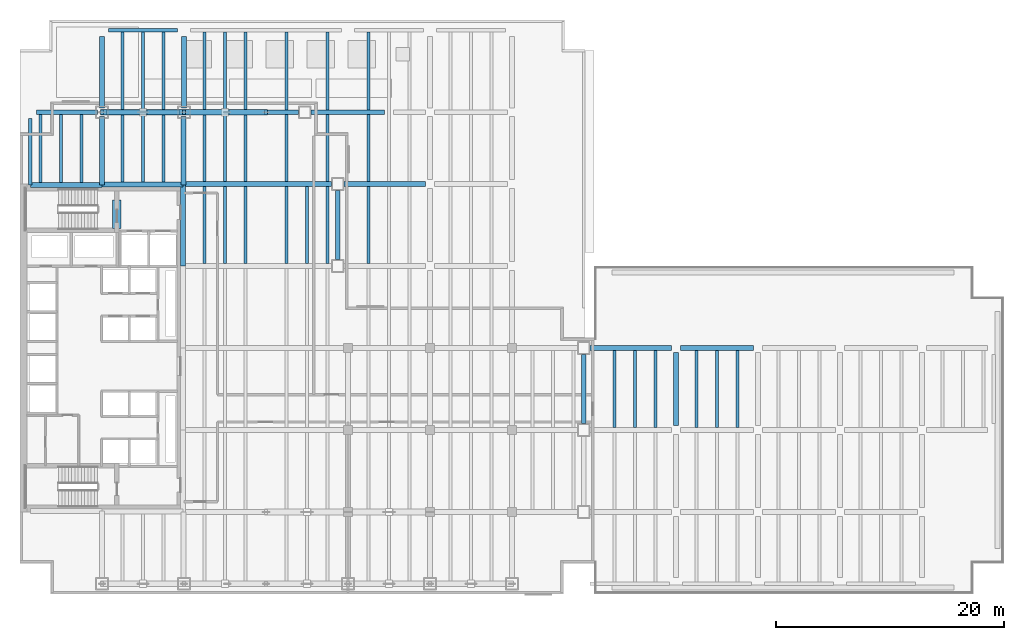
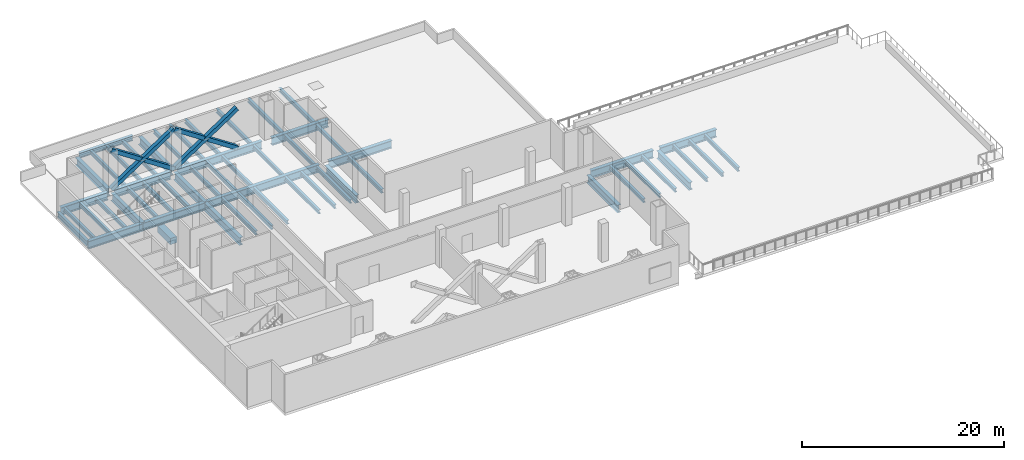
# One storey, part 3 of 12: 55 beams, 6 members.
"""IFC4 building model written with IfcOpenShell, lengths in metres."""

from ifc_helpers import new_model, si_unit, direction, frame, origin, origin_2d, place, context, subcontext, project, spatial, rectangle, hollow_rectangle, i_section, extrude, material, material_profile, profile_set, type_object, element, save


model = new_model("IFC4")

# Units and contexts
model_context = context("Model", 3, precision=1e-05, world=origin(), true_north=direction((0.0, 1.0)))
body_context = subcontext(model_context, "Body", "Model", "MODEL_VIEW")
ifc_project = project(units=[si_unit("LENGTHUNIT", "METRE"), si_unit("AREAUNIT", "SQUARE_METRE"), si_unit("VOLUMEUNIT", "CUBIC_METRE"), si_unit("PLANEANGLEUNIT", "RADIAN"), si_unit("MASSUNIT", "GRAM", prefix="KILO")], contexts=[model_context])

# Site, building, storey
site_placement = place(None, origin())
site = spatial("IfcSite", under=ifc_project, at=site_placement, CompositionType="ELEMENT")
building_placement = place(site_placement, origin())
building = spatial("IfcBuilding", under=site, at=building_placement, Name="Cobrela Telecom Tower", CompositionType="ELEMENT")
storey_placement = place(building_placement, frame((0.0, 0.0, 26.25)))
storey = spatial("IfcBuildingStorey", under=building, at=storey_placement, Name="L06", CompositionType="ELEMENT", Elevation=26.25)

# Beams
ifc_material_1 = material(Name="Concrete C40/50", Category="concrete")
ifc_material_profile_1 = material_profile(ifc_material_1, rectangle(XDim=0.75, YDim=0.75, at=origin_2d()), Name="RC 750x750")
ifc_profile_set_1 = profile_set([ifc_material_profile_1], Name="Concrete C40/50")
beam_type_1 = type_object("IfcBeamType", Name="BM-COUP-RC", PredefinedType="LINTEL", material=ifc_profile_set_1)
beam_1_placement = place(storey_placement, frame((8.5, 32.10009765625, -0.64990234375), z_axis=(0.0, 1.0, 0.0), x_axis=(-1.0, 0.0, 0.0)))
element("IfcBeam", 1, at=beam_1_placement, inside=storey, type_object=beam_type_1, Name="L06 Core Coupling Lintel Beam", PredefinedType="LINTEL", context=body_context, shape_type="SweptSolid", body=[
    extrude(rectangle(XDim=0.75, YDim=0.75, at=origin_2d()), origin(), (0.0, 0.0, 1.0), 2.5),
])
ifc_material_2 = material(Name="Steel ASTM A992 Grade 50", Category="steel")
ifc_material_profile_2 = material_profile(ifc_material_2, i_section(OverallWidth=0.4189453125, OverallDepth=0.927001953125, WebThickness=0.019287109375, FlangeThickness=0.031982421875, FilletRadius=0.02392578125, at=origin_2d()), Name="W36X231")
ifc_profile_set_2 = profile_set([ifc_material_profile_2], Name="Steel ASTM A992 Grade 50")
beam_type_2 = type_object("IfcBeamType", Name="BM-GIRD-02", PredefinedType="USERDEFINED", material=ifc_profile_set_2)
beam_2_placement = place(storey_placement, frame((50.054931640625, 21.60009765625, -0.763427734375), z_axis=(1.0, 0.0, 0.0), x_axis=(0.0, 1.0, 0.0)))
element("IfcBeam", 2, at=beam_2_placement, inside=storey, type_object=beam_type_2, Name="L06 Primary Girder X32", ObjectType="GIRDER", PredefinedType="USERDEFINED", context=body_context, shape_type="SweptSolid", body=[
    extrude(i_section(OverallWidth=0.4189453125, OverallDepth=0.927001953125, WebThickness=0.019287109375, FlangeThickness=0.031982421875, FilletRadius=0.02392578125, at=origin_2d()), origin(), (0.0, 0.0, 1.0), 7.1650390625),
])
beam_3_placement = place(storey_placement, frame((57.97998046875, 21.60009765625, -0.763427734375), z_axis=(1.0, 0.0, 0.0), x_axis=(0.0, 1.0, 0.0)))
element("IfcBeam", 3, at=beam_3_placement, inside=storey, type_object=beam_type_2, Name="L06 Primary Girder X33", ObjectType="GIRDER", PredefinedType="USERDEFINED", context=body_context, shape_type="SweptSolid", body=[
    extrude(i_section(OverallWidth=0.4189453125, OverallDepth=0.927001953125, WebThickness=0.019287109375, FlangeThickness=0.031982421875, FilletRadius=0.02392578125, at=origin_2d()), origin(), (0.0, 0.0, 1.0), 6.43994140625),
])
beam_4_placement = place(storey_placement, frame((0.905029296875, 35.919921875, -0.763427734375), z_axis=(1.0, 0.0, 0.0), x_axis=(0.0, 1.0, 0.0)))
element("IfcBeam", 4, at=beam_4_placement, inside=storey, type_object=beam_type_2, Name="L06 Primary Girder X40", ObjectType="GIRDER", PredefinedType="USERDEFINED", context=body_context, shape_type="SweptSolid", body=[
    extrude(i_section(OverallWidth=0.4189453125, OverallDepth=0.927001953125, WebThickness=0.019287109375, FlangeThickness=0.031982421875, FilletRadius=0.02392578125, at=origin_2d()), origin(), (0.0, 0.0, 1.0), 6.2900390625),
])
beam_5_placement = place(storey_placement, frame((7.205078125, 35.9599609375, -0.763427734375), z_axis=(1.0, 0.0, 0.0), x_axis=(0.0, 1.0, 0.0)))
element("IfcBeam", 5, at=beam_5_placement, inside=storey, type_object=beam_type_2, Name="L06 Primary Girder X41", ObjectType="GIRDER", PredefinedType="USERDEFINED", context=body_context, shape_type="SweptSolid", body=[
    extrude(i_section(OverallWidth=0.4189453125, OverallDepth=0.927001953125, WebThickness=0.019287109375, FlangeThickness=0.031982421875, FilletRadius=0.02392578125, at=origin_2d()), origin(), (0.0, 0.0, 1.0), 7.10986328125),
])
beam_6_placement = place(storey_placement, frame((14.324951171875, 36.0, -0.763427734375), z_axis=(1.0, 0.0, 0.0), x_axis=(0.0, 1.0, 0.0)))
element("IfcBeam", 6, at=beam_6_placement, inside=storey, type_object=beam_type_2, Name="L06 Primary Girder X42", ObjectType="GIRDER", PredefinedType="USERDEFINED", context=body_context, shape_type="SweptSolid", body=[
    extrude(i_section(OverallWidth=0.4189453125, OverallDepth=0.927001953125, WebThickness=0.019287109375, FlangeThickness=0.031982421875, FilletRadius=0.02392578125, at=origin_2d()), origin(), (0.0, 0.0, 1.0), 13.02001953125),
])
beam_7_placement = place(storey_placement, frame((28.455078125, 36.0, -0.763427734375), z_axis=(1.0, 0.0, 0.0), x_axis=(0.0, 1.0, 0.0)))
element("IfcBeam", 7, at=beam_7_placement, inside=storey, type_object=beam_type_2, Name="L06 Primary Girder X43", ObjectType="GIRDER", PredefinedType="USERDEFINED", context=body_context, shape_type="SweptSolid", body=[
    extrude(i_section(OverallWidth=0.4189453125, OverallDepth=0.927001953125, WebThickness=0.019287109375, FlangeThickness=0.031982421875, FilletRadius=0.02392578125, at=origin_2d()), origin(), (0.0, 0.0, 1.0), 7.1650390625),
])
beam_8_placement = place(storey_placement, frame((1.455078125, 42.300048828125, -0.763427734375), z_axis=(1.0, 0.0, 0.0), x_axis=(0.0, 1.0, 0.0)))
element("IfcBeam", 8, at=beam_8_placement, inside=storey, type_object=beam_type_2, Name="L06 Primary Girder X45", ObjectType="GIRDER", PredefinedType="USERDEFINED", context=body_context, shape_type="SweptSolid", body=[
    extrude(i_section(OverallWidth=0.4189453125, OverallDepth=0.927001953125, WebThickness=0.019287109375, FlangeThickness=0.031982421875, FilletRadius=0.02392578125, at=origin_2d()), origin(), (0.0, 0.0, 1.0), 5.364990234375),
])
beam_9_placement = place(storey_placement, frame((7.580078125, 42.300048828125, -0.763427734375), z_axis=(1.0, 0.0, 0.0), x_axis=(0.0, 1.0, 0.0)))
element("IfcBeam", 9, at=beam_9_placement, inside=storey, type_object=beam_type_2, Name="L06 Primary Girder X46", ObjectType="GIRDER", PredefinedType="USERDEFINED", context=body_context, shape_type="SweptSolid", body=[
    extrude(i_section(OverallWidth=0.4189453125, OverallDepth=0.927001953125, WebThickness=0.019287109375, FlangeThickness=0.031982421875, FilletRadius=0.02392578125, at=origin_2d()), origin(), (0.0, 0.0, 1.0), 6.43994140625),
])
beam_10_placement = place(storey_placement, frame((14.780029296875, 42.300048828125, -0.763427734375), z_axis=(1.0, 0.0, 0.0), x_axis=(0.0, 1.0, 0.0)))
element("IfcBeam", 10, at=beam_10_placement, inside=storey, type_object=beam_type_2, Name="L06 Primary Girder X47", ObjectType="GIRDER", PredefinedType="USERDEFINED", context=body_context, shape_type="SweptSolid", body=[
    extrude(i_section(OverallWidth=0.4189453125, OverallDepth=0.927001953125, WebThickness=0.019287109375, FlangeThickness=0.031982421875, FilletRadius=0.02392578125, at=origin_2d()), origin(), (0.0, 0.0, 1.0), 9.6650390625),
])
beam_11_placement = place(storey_placement, frame((25.554931640625, 42.300048828125, -0.763427734375), z_axis=(1.0, 0.0, 0.0), x_axis=(0.0, 1.0, 0.0)))
element("IfcBeam", 11, at=beam_11_placement, inside=storey, type_object=beam_type_2, Name="L06 Primary Girder X48", ObjectType="GIRDER", PredefinedType="USERDEFINED", context=body_context, shape_type="SweptSolid", body=[
    extrude(i_section(OverallWidth=0.4189453125, OverallDepth=0.927001953125, WebThickness=0.019287109375, FlangeThickness=0.031982421875, FilletRadius=0.02392578125, at=origin_2d()), origin(), (0.0, 0.0, 1.0), 6.465087890625),
])
beam_12_placement = place(storey_placement, frame((7.199951171875, 35.925048828125, -0.763427734375), z_axis=(0.0, 1.0, 0.0), x_axis=(-1.0, 0.0, 0.0)))
element("IfcBeam", 12, at=beam_12_placement, inside=storey, type_object=beam_type_2, Name="L06 Primary Girder Y57", ObjectType="GIRDER", PredefinedType="USERDEFINED", context=body_context, shape_type="SweptSolid", body=[
    extrude(i_section(OverallWidth=0.4189453125, OverallDepth=0.927001953125, WebThickness=0.019287109375, FlangeThickness=0.031982421875, FilletRadius=0.02392578125, at=origin_2d()), origin(), (0.0, 0.0, 1.0), 5.994873046875),
])
beam_13_placement = place(storey_placement, frame((7.199951171875, 42.679931640625, -0.763427734375), z_axis=(0.0, 1.0, 0.0), x_axis=(-1.0, 0.0, 0.0)))
element("IfcBeam", 13, at=beam_13_placement, inside=storey, type_object=beam_type_2, Name="L06 Primary Girder Y58", ObjectType="GIRDER", PredefinedType="USERDEFINED", context=body_context, shape_type="SweptSolid", body=[
    extrude(i_section(OverallWidth=0.4189453125, OverallDepth=0.927001953125, WebThickness=0.019287109375, FlangeThickness=0.031982421875, FilletRadius=0.02392578125, at=origin_2d()), origin(), (0.0, 0.0, 1.0), 6.26513671875),
])
beam_14_placement = place(storey_placement, frame((14.320068359375, 28.804931640625, -0.763427734375), z_axis=(0.0, 1.0, 0.0), x_axis=(-1.0, 0.0, 0.0)))
element("IfcBeam", 14, at=beam_14_placement, inside=storey, type_object=beam_type_2, Name="L06 Primary Girder Y63", ObjectType="GIRDER", PredefinedType="USERDEFINED", context=body_context, shape_type="SweptSolid", body=[
    extrude(i_section(OverallWidth=0.4189453125, OverallDepth=0.927001953125, WebThickness=0.019287109375, FlangeThickness=0.031982421875, FilletRadius=0.02392578125, at=origin_2d()), origin(), (0.0, 0.0, 1.0), 7.110107421875),
])
beam_15_placement = place(storey_placement, frame((14.360107421875, 35.925048828125, -0.763427734375), z_axis=(0.0, 1.0, 0.0), x_axis=(-1.0, 0.0, 0.0)))
element("IfcBeam", 15, at=beam_15_placement, inside=storey, type_object=beam_type_2, Name="L06 Primary Girder Y64", ObjectType="GIRDER", PredefinedType="USERDEFINED", context=body_context, shape_type="SweptSolid", body=[
    extrude(i_section(OverallWidth=0.4189453125, OverallDepth=0.927001953125, WebThickness=0.019287109375, FlangeThickness=0.031982421875, FilletRadius=0.02392578125, at=origin_2d()), origin(), (0.0, 0.0, 1.0), 5.994873046875),
])
beam_16_placement = place(storey_placement, frame((14.39990234375, 42.679931640625, -0.763427734375), z_axis=(0.0, 1.0, 0.0), x_axis=(-1.0, 0.0, 0.0)))
element("IfcBeam", 16, at=beam_16_placement, inside=storey, type_object=beam_type_2, Name="L06 Primary Girder Y65", ObjectType="GIRDER", PredefinedType="USERDEFINED", context=body_context, shape_type="SweptSolid", body=[
    extrude(i_section(OverallWidth=0.4189453125, OverallDepth=0.927001953125, WebThickness=0.019287109375, FlangeThickness=0.031982421875, FilletRadius=0.02392578125, at=origin_2d()), origin(), (0.0, 0.0, 1.0), 6.26513671875),
])
beam_17_placement = place(storey_placement, frame((27.89990234375, 29.35498046875, -0.763427734375), z_axis=(0.0, 1.0, 0.0), x_axis=(-1.0, 0.0, 0.0)))
element("IfcBeam", 17, at=beam_17_placement, inside=storey, type_object=beam_type_2, Name="L06 Primary Girder Y66", ObjectType="GIRDER", PredefinedType="USERDEFINED", context=body_context, shape_type="SweptSolid", body=[
    extrude(i_section(OverallWidth=0.4189453125, OverallDepth=0.927001953125, WebThickness=0.019287109375, FlangeThickness=0.031982421875, FilletRadius=0.02392578125, at=origin_2d()), origin(), (0.0, 0.0, 1.0), 6.090087890625),
])
beam_18_placement = place(storey_placement, frame((49.5, 14.955078125, -0.763427734375), z_axis=(0.0, 1.0, 0.0), x_axis=(-1.0, 0.0, 0.0)))
element("IfcBeam", 18, at=beam_18_placement, inside=storey, type_object=beam_type_2, Name="L06 Primary Girder Y85", ObjectType="GIRDER", PredefinedType="USERDEFINED", context=body_context, shape_type="SweptSolid", body=[
    extrude(i_section(OverallWidth=0.4189453125, OverallDepth=0.927001953125, WebThickness=0.019287109375, FlangeThickness=0.031982421875, FilletRadius=0.02392578125, at=origin_2d()), origin(), (0.0, 0.0, 1.0), 6.08984375),
])
beam_19_placement = place(storey_placement, frame((57.60009765625, 14.780029296875, -0.763427734375), z_axis=(0.0, 1.0, 0.0), x_axis=(-1.0, 0.0, 0.0)))
element("IfcBeam", 19, at=beam_19_placement, inside=storey, type_object=beam_type_2, Name="L06 Primary Girder Y88", ObjectType="GIRDER", PredefinedType="USERDEFINED", context=body_context, shape_type="SweptSolid", body=[
    extrude(i_section(OverallWidth=0.4189453125, OverallDepth=0.927001953125, WebThickness=0.019287109375, FlangeThickness=0.031982421875, FilletRadius=0.02392578125, at=origin_2d()), origin(), (0.0, 0.0, 1.0), 6.43994140625),
])
ifc_material_profile_3 = material_profile(ifc_material_2, i_section(OverallWidth=0.281982421875, OverallDepth=0.467041015625, WebThickness=0.01220703125, FlangeThickness=0.01953125, FilletRadius=0.012939453125, at=origin_2d()), Name="W18X86")
ifc_profile_set_3 = profile_set([ifc_material_profile_3], Name="Steel ASTM A992 Grade 50")
beam_type_3 = type_object("IfcBeamType", Name="BM-JOIST-02", PredefinedType="JOIST", material=ifc_profile_set_3)
for number, where, z_axis, x_axis, name in (
    (20, (1.800048828125, 36.134521484375, -0.533447265625), (0.0, 1.0, 0.0), (-1.0, 0.0, 0.0), "L06 Secondary Composite Floor Beam J01"),
    (21, (3.60009765625, 36.134521484375, -0.533447265625), (0.0, 1.0, 0.0), (-1.0, 0.0, 0.0), "L06 Secondary Composite Floor Beam J02"),
    (22, (5.39990234375, 36.134521484375, -0.533447265625), (0.0, 1.0, 0.0), (-1.0, 0.0, 0.0), "L06 Secondary Composite Floor Beam J03"),
):
    element("IfcBeam", number, at=place(storey_placement, frame(where, z_axis=z_axis, x_axis=x_axis)), inside=storey, type_object=beam_type_3, Name=name, PredefinedType="JOIST", context=body_context, shape_type="SweptSolid", body=[
        extrude(i_section(OverallWidth=0.281982421875, OverallDepth=0.467041015625, WebThickness=0.01220703125, FlangeThickness=0.01953125, FilletRadius=0.012939453125, at=origin_2d()), origin(), (0.0, 0.0, 1.0), 5.950927734375),
    ])
beam_20_placement = place(storey_placement, frame((9.0, 36.174560546875, -0.533447265625), z_axis=(0.0, 1.0, 0.0), x_axis=(-1.0, 0.0, 0.0)))
element("IfcBeam", 23, at=beam_20_placement, inside=storey, type_object=beam_type_3, Name="L06 Secondary Composite Floor Beam J05", PredefinedType="JOIST", context=body_context, shape_type="SweptSolid", body=[
    extrude(i_section(OverallWidth=0.281982421875, OverallDepth=0.467041015625, WebThickness=0.01220703125, FlangeThickness=0.01953125, FilletRadius=0.012939453125, at=origin_2d()), origin(), (0.0, 0.0, 1.0), 5.910888671875),
])
beam_21_placement = place(storey_placement, frame((9.0, 42.514404296875, -0.533447265625), z_axis=(0.0, 1.0, 0.0), x_axis=(-1.0, 0.0, 0.0)))
element("IfcBeam", 24, at=beam_21_placement, inside=storey, type_object=beam_type_3, Name="L06 Secondary Composite Floor Beam J06", PredefinedType="JOIST", context=body_context, shape_type="SweptSolid", body=[
    extrude(i_section(OverallWidth=0.281982421875, OverallDepth=0.467041015625, WebThickness=0.01220703125, FlangeThickness=0.01953125, FilletRadius=0.012939453125, at=origin_2d()), origin(), (0.0, 0.0, 1.0), 6.818115234375),
])
beam_22_placement = place(storey_placement, frame((10.800048828125, 36.174560546875, -0.533447265625), z_axis=(0.0, 1.0, 0.0), x_axis=(-1.0, 0.0, 0.0)))
element("IfcBeam", 25, at=beam_22_placement, inside=storey, type_object=beam_type_3, Name="L06 Secondary Composite Floor Beam J08", PredefinedType="JOIST", context=body_context, shape_type="SweptSolid", body=[
    extrude(i_section(OverallWidth=0.281982421875, OverallDepth=0.467041015625, WebThickness=0.01220703125, FlangeThickness=0.01953125, FilletRadius=0.012939453125, at=origin_2d()), origin(), (0.0, 0.0, 1.0), 5.910888671875),
])
beam_23_placement = place(storey_placement, frame((10.800048828125, 42.514404296875, -0.533447265625), z_axis=(0.0, 1.0, 0.0), x_axis=(-1.0, 0.0, 0.0)))
element("IfcBeam", 26, at=beam_23_placement, inside=storey, type_object=beam_type_3, Name="L06 Secondary Composite Floor Beam J09", PredefinedType="JOIST", context=body_context, shape_type="SweptSolid", body=[
    extrude(i_section(OverallWidth=0.281982421875, OverallDepth=0.467041015625, WebThickness=0.01220703125, FlangeThickness=0.01953125, FilletRadius=0.012939453125, at=origin_2d()), origin(), (0.0, 0.0, 1.0), 6.818115234375),
])
beam_24_placement = place(storey_placement, frame((12.60009765625, 36.174560546875, -0.533447265625), z_axis=(0.0, 1.0, 0.0), x_axis=(-1.0, 0.0, 0.0)))
element("IfcBeam", 27, at=beam_24_placement, inside=storey, type_object=beam_type_3, Name="L06 Secondary Composite Floor Beam J11", PredefinedType="JOIST", context=body_context, shape_type="SweptSolid", body=[
    extrude(i_section(OverallWidth=0.281982421875, OverallDepth=0.467041015625, WebThickness=0.01220703125, FlangeThickness=0.01953125, FilletRadius=0.012939453125, at=origin_2d()), origin(), (0.0, 0.0, 1.0), 5.910888671875),
])
beam_25_placement = place(storey_placement, frame((12.60009765625, 42.514404296875, -0.533447265625), z_axis=(0.0, 1.0, 0.0), x_axis=(-1.0, 0.0, 0.0)))
element("IfcBeam", 28, at=beam_25_placement, inside=storey, type_object=beam_type_3, Name="L06 Secondary Composite Floor Beam J12", PredefinedType="JOIST", context=body_context, shape_type="SweptSolid", body=[
    extrude(i_section(OverallWidth=0.281982421875, OverallDepth=0.467041015625, WebThickness=0.01220703125, FlangeThickness=0.01953125, FilletRadius=0.012939453125, at=origin_2d()), origin(), (0.0, 0.0, 1.0), 6.818115234375),
])
beam_26_placement = place(storey_placement, frame((16.199951171875, 29.014404296875, -0.533447265625), z_axis=(0.0, 1.0, 0.0), x_axis=(-1.0, 0.0, 0.0)))
element("IfcBeam", 29, at=beam_26_placement, inside=storey, type_object=beam_type_3, Name="L06 Secondary Composite Floor Beam J17", PredefinedType="JOIST", context=body_context, shape_type="SweptSolid", body=[
    extrude(i_section(OverallWidth=0.281982421875, OverallDepth=0.467041015625, WebThickness=0.01220703125, FlangeThickness=0.01953125, FilletRadius=0.012939453125, at=origin_2d()), origin(), (0.0, 0.0, 1.0), 6.77099609375),
])
beam_27_placement = place(storey_placement, frame((16.199951171875, 36.214599609375, -0.533447265625), z_axis=(0.0, 1.0, 0.0), x_axis=(-1.0, 0.0, 0.0)))
element("IfcBeam", 30, at=beam_27_placement, inside=storey, type_object=beam_type_3, Name="L06 Secondary Composite Floor Beam J18", PredefinedType="JOIST", context=body_context, shape_type="SweptSolid", body=[
    extrude(i_section(OverallWidth=0.281982421875, OverallDepth=0.467041015625, WebThickness=0.01220703125, FlangeThickness=0.01953125, FilletRadius=0.012939453125, at=origin_2d()), origin(), (0.0, 0.0, 1.0), 5.870849609375),
])
beam_28_placement = place(storey_placement, frame((16.199951171875, 42.514404296875, -0.533447265625), z_axis=(0.0, 1.0, 0.0), x_axis=(-1.0, 0.0, 0.0)))
element("IfcBeam", 31, at=beam_28_placement, inside=storey, type_object=beam_type_3, Name="L06 Secondary Composite Floor Beam J19", PredefinedType="JOIST", context=body_context, shape_type="SweptSolid", body=[
    extrude(i_section(OverallWidth=0.281982421875, OverallDepth=0.467041015625, WebThickness=0.01220703125, FlangeThickness=0.01953125, FilletRadius=0.012939453125, at=origin_2d()), origin(), (0.0, 0.0, 1.0), 6.818115234375),
])
beam_29_placement = place(storey_placement, frame((18.0, 29.014404296875, -0.533447265625), z_axis=(0.0, 1.0, 0.0), x_axis=(-1.0, 0.0, 0.0)))
element("IfcBeam", 32, at=beam_29_placement, inside=storey, type_object=beam_type_3, Name="L06 Secondary Composite Floor Beam J24", PredefinedType="JOIST", context=body_context, shape_type="SweptSolid", body=[
    extrude(i_section(OverallWidth=0.281982421875, OverallDepth=0.467041015625, WebThickness=0.01220703125, FlangeThickness=0.01953125, FilletRadius=0.012939453125, at=origin_2d()), origin(), (0.0, 0.0, 1.0), 6.77099609375),
])
beam_30_placement = place(storey_placement, frame((18.0, 36.214599609375, -0.533447265625), z_axis=(0.0, 1.0, 0.0), x_axis=(-1.0, 0.0, 0.0)))
element("IfcBeam", 33, at=beam_30_placement, inside=storey, type_object=beam_type_3, Name="L06 Secondary Composite Floor Beam J25", PredefinedType="JOIST", context=body_context, shape_type="SweptSolid", body=[
    extrude(i_section(OverallWidth=0.281982421875, OverallDepth=0.467041015625, WebThickness=0.01220703125, FlangeThickness=0.01953125, FilletRadius=0.012939453125, at=origin_2d()), origin(), (0.0, 0.0, 1.0), 5.870849609375),
])
beam_31_placement = place(storey_placement, frame((18.0, 42.514404296875, -0.533447265625), z_axis=(0.0, 1.0, 0.0), x_axis=(-1.0, 0.0, 0.0)))
element("IfcBeam", 34, at=beam_31_placement, inside=storey, type_object=beam_type_3, Name="L06 Secondary Composite Floor Beam J26", PredefinedType="JOIST", context=body_context, shape_type="SweptSolid", body=[
    extrude(i_section(OverallWidth=0.281982421875, OverallDepth=0.467041015625, WebThickness=0.01220703125, FlangeThickness=0.01953125, FilletRadius=0.012939453125, at=origin_2d()), origin(), (0.0, 0.0, 1.0), 6.818115234375),
])
beam_32_placement = place(storey_placement, frame((19.800048828125, 29.014404296875, -0.533447265625), z_axis=(0.0, 1.0, 0.0), x_axis=(-1.0, 0.0, 0.0)))
element("IfcBeam", 35, at=beam_32_placement, inside=storey, type_object=beam_type_3, Name="L06 Secondary Composite Floor Beam J31", PredefinedType="JOIST", context=body_context, shape_type="SweptSolid", body=[
    extrude(i_section(OverallWidth=0.281982421875, OverallDepth=0.467041015625, WebThickness=0.01220703125, FlangeThickness=0.01953125, FilletRadius=0.012939453125, at=origin_2d()), origin(), (0.0, 0.0, 1.0), 6.77099609375),
])
beam_33_placement = place(storey_placement, frame((19.800048828125, 36.214599609375, -0.533447265625), z_axis=(0.0, 1.0, 0.0), x_axis=(-1.0, 0.0, 0.0)))
element("IfcBeam", 36, at=beam_33_placement, inside=storey, type_object=beam_type_3, Name="L06 Secondary Composite Floor Beam J32", PredefinedType="JOIST", context=body_context, shape_type="SweptSolid", body=[
    extrude(i_section(OverallWidth=0.281982421875, OverallDepth=0.467041015625, WebThickness=0.01220703125, FlangeThickness=0.01953125, FilletRadius=0.012939453125, at=origin_2d()), origin(), (0.0, 0.0, 1.0), 5.870849609375),
])
beam_34_placement = place(storey_placement, frame((19.800048828125, 42.514404296875, -0.533447265625), z_axis=(0.0, 1.0, 0.0), x_axis=(-1.0, 0.0, 0.0)))
element("IfcBeam", 37, at=beam_34_placement, inside=storey, type_object=beam_type_3, Name="L06 Secondary Composite Floor Beam J33", PredefinedType="JOIST", context=body_context, shape_type="SweptSolid", body=[
    extrude(i_section(OverallWidth=0.281982421875, OverallDepth=0.467041015625, WebThickness=0.01220703125, FlangeThickness=0.01953125, FilletRadius=0.012939453125, at=origin_2d()), origin(), (0.0, 0.0, 1.0), 6.818115234375),
])
beam_35_placement = place(storey_placement, frame((23.39990234375, 29.014404296875, -0.533447265625), z_axis=(0.0, 1.0, 0.0), x_axis=(-1.0, 0.0, 0.0)))
element("IfcBeam", 38, at=beam_35_placement, inside=storey, type_object=beam_type_3, Name="L06 Secondary Composite Floor Beam J38", PredefinedType="JOIST", context=body_context, shape_type="SweptSolid", body=[
    extrude(i_section(OverallWidth=0.281982421875, OverallDepth=0.467041015625, WebThickness=0.01220703125, FlangeThickness=0.01953125, FilletRadius=0.012939453125, at=origin_2d()), origin(), (0.0, 0.0, 1.0), 6.77099609375),
])
beam_36_placement = place(storey_placement, frame((23.39990234375, 36.214599609375, -0.533447265625), z_axis=(0.0, 1.0, 0.0), x_axis=(-1.0, 0.0, 0.0)))
element("IfcBeam", 39, at=beam_36_placement, inside=storey, type_object=beam_type_3, Name="L06 Secondary Composite Floor Beam J39", PredefinedType="JOIST", context=body_context, shape_type="SweptSolid", body=[
    extrude(i_section(OverallWidth=0.281982421875, OverallDepth=0.467041015625, WebThickness=0.01220703125, FlangeThickness=0.01953125, FilletRadius=0.012939453125, at=origin_2d()), origin(), (0.0, 0.0, 1.0), 5.870849609375),
])
beam_37_placement = place(storey_placement, frame((23.39990234375, 42.514404296875, -0.533447265625), z_axis=(0.0, 1.0, 0.0), x_axis=(-1.0, 0.0, 0.0)))
element("IfcBeam", 40, at=beam_37_placement, inside=storey, type_object=beam_type_3, Name="L06 Secondary Composite Floor Beam J40", PredefinedType="JOIST", context=body_context, shape_type="SweptSolid", body=[
    extrude(i_section(OverallWidth=0.281982421875, OverallDepth=0.467041015625, WebThickness=0.01220703125, FlangeThickness=0.01953125, FilletRadius=0.012939453125, at=origin_2d()), origin(), (0.0, 0.0, 1.0), 6.818115234375),
])
for number, where, z_axis, x_axis, name in (
    (41, (25.199951171875, 29.014404296875, -0.533447265625), (0.0, 1.0, 0.0), (-1.0, 0.0, 0.0), "L06 Secondary Composite Floor Beam J45"),
    (42, (27.0, 29.014404296875, -0.533447265625), (0.0, 1.0, 0.0), (-1.0, 0.0, 0.0), "L06 Secondary Composite Floor Beam J50"),
):
    element("IfcBeam", number, at=place(storey_placement, frame(where, z_axis=z_axis, x_axis=x_axis)), inside=storey, type_object=beam_type_3, Name=name, PredefinedType="JOIST", context=body_context, shape_type="SweptSolid", body=[
        extrude(i_section(OverallWidth=0.281982421875, OverallDepth=0.467041015625, WebThickness=0.01220703125, FlangeThickness=0.01953125, FilletRadius=0.012939453125, at=origin_2d()), origin(), (0.0, 0.0, 1.0), 6.77099609375),
    ])
beam_38_placement = place(storey_placement, frame((27.0, 36.214599609375, -0.533447265625), z_axis=(0.0, 1.0, 0.0), x_axis=(-1.0, 0.0, 0.0)))
element("IfcBeam", 43, at=beam_38_placement, inside=storey, type_object=beam_type_3, Name="L06 Secondary Composite Floor Beam J51", PredefinedType="JOIST", context=body_context, shape_type="SweptSolid", body=[
    extrude(i_section(OverallWidth=0.281982421875, OverallDepth=0.467041015625, WebThickness=0.01220703125, FlangeThickness=0.01953125, FilletRadius=0.012939453125, at=origin_2d()), origin(), (0.0, 0.0, 1.0), 5.870849609375),
])
beam_39_placement = place(storey_placement, frame((27.0, 42.514404296875, -0.533447265625), z_axis=(0.0, 1.0, 0.0), x_axis=(-1.0, 0.0, 0.0)))
element("IfcBeam", 44, at=beam_39_placement, inside=storey, type_object=beam_type_3, Name="L06 Secondary Composite Floor Beam J52", PredefinedType="JOIST", context=body_context, shape_type="SweptSolid", body=[
    extrude(i_section(OverallWidth=0.281982421875, OverallDepth=0.467041015625, WebThickness=0.01220703125, FlangeThickness=0.01953125, FilletRadius=0.012939453125, at=origin_2d()), origin(), (0.0, 0.0, 1.0), 6.818115234375),
])
beam_40_placement = place(storey_placement, frame((30.60009765625, 29.014404296875, -0.533447265625), z_axis=(0.0, 1.0, 0.0), x_axis=(-1.0, 0.0, 0.0)))
element("IfcBeam", 45, at=beam_40_placement, inside=storey, type_object=beam_type_3, Name="L06 Secondary Composite Floor Beam J57", PredefinedType="JOIST", context=body_context, shape_type="SweptSolid", body=[
    extrude(i_section(OverallWidth=0.281982421875, OverallDepth=0.467041015625, WebThickness=0.01220703125, FlangeThickness=0.01953125, FilletRadius=0.012939453125, at=origin_2d()), origin(), (0.0, 0.0, 1.0), 6.77099609375),
])
beam_41_placement = place(storey_placement, frame((30.60009765625, 36.214599609375, -0.533447265625), z_axis=(0.0, 1.0, 0.0), x_axis=(-1.0, 0.0, 0.0)))
element("IfcBeam", 46, at=beam_41_placement, inside=storey, type_object=beam_type_3, Name="L06 Secondary Composite Floor Beam J58", PredefinedType="JOIST", context=body_context, shape_type="SweptSolid", body=[
    extrude(i_section(OverallWidth=0.281982421875, OverallDepth=0.467041015625, WebThickness=0.01220703125, FlangeThickness=0.01953125, FilletRadius=0.012939453125, at=origin_2d()), origin(), (0.0, 0.0, 1.0), 5.870849609375),
])
beam_42_placement = place(storey_placement, frame((30.60009765625, 42.514404296875, -0.533447265625), z_axis=(0.0, 1.0, 0.0), x_axis=(-1.0, 0.0, 0.0)))
element("IfcBeam", 47, at=beam_42_placement, inside=storey, type_object=beam_type_3, Name="L06 Secondary Composite Floor Beam J59", PredefinedType="JOIST", context=body_context, shape_type="SweptSolid", body=[
    extrude(i_section(OverallWidth=0.281982421875, OverallDepth=0.467041015625, WebThickness=0.01220703125, FlangeThickness=0.01953125, FilletRadius=0.012939453125, at=origin_2d()), origin(), (0.0, 0.0, 1.0), 6.818115234375),
])
for number, where, z_axis, x_axis, name in (
    (48, (52.199951171875, 14.614501953125, -0.533447265625), (0.0, 1.0, 0.0), (-1.0, 0.0, 0.0), "L06 Secondary Composite Floor Beam J102"),
    (49, (54.0, 14.614501953125, -0.533447265625), (0.0, 1.0, 0.0), (-1.0, 0.0, 0.0), "L06 Secondary Composite Floor Beam J105"),
    (50, (55.800048828125, 14.614501953125, -0.533447265625), (0.0, 1.0, 0.0), (-1.0, 0.0, 0.0), "L06 Secondary Composite Floor Beam J108"),
    (51, (59.39990234375, 14.614501953125, -0.533447265625), (0.0, 1.0, 0.0), (-1.0, 0.0, 0.0), "L06 Secondary Composite Floor Beam J111"),
    (52, (61.199951171875, 14.614501953125, -0.533447265625), (0.0, 1.0, 0.0), (-1.0, 0.0, 0.0), "L06 Secondary Composite Floor Beam J114"),
    (53, (63.0, 14.614501953125, -0.533447265625), (0.0, 1.0, 0.0), (-1.0, 0.0, 0.0), "L06 Secondary Composite Floor Beam J117"),
):
    element("IfcBeam", number, at=place(storey_placement, frame(where, z_axis=z_axis, x_axis=x_axis)), inside=storey, type_object=beam_type_3, Name=name, PredefinedType="JOIST", context=body_context, shape_type="SweptSolid", body=[
        extrude(i_section(OverallWidth=0.281982421875, OverallDepth=0.467041015625, WebThickness=0.01220703125, FlangeThickness=0.01953125, FilletRadius=0.012939453125, at=origin_2d()), origin(), (0.0, 0.0, 1.0), 6.77099609375),
    ])
ifc_material_profile_4 = material_profile(ifc_material_2, i_section(OverallWidth=0.324951171875, OverallDepth=0.612060546875, WebThickness=0.0126953125, FlangeThickness=0.01904296875, FilletRadius=0.014892578125, at=origin_2d()), Name="W24X104")
ifc_profile_set_4 = profile_set([ifc_material_profile_4], Name="Steel ASTM A992 Grade 50")
beam_type_4 = type_object("IfcBeamType", Name="BM-SPAND-02", PredefinedType="SPANDREL", material=ifc_profile_set_4)
beam_43_placement = place(storey_placement, frame((7.7548828125, 49.5, -0.60595703125), z_axis=(1.0, 0.0, 0.0), x_axis=(0.0, 1.0, 0.0)))
element("IfcBeam", 54, at=beam_43_placement, inside=storey, type_object=beam_type_4, Name="L06 Perimeter Spandrel X51", PredefinedType="SPANDREL", context=body_context, shape_type="SweptSolid", body=[
    extrude(i_section(OverallWidth=0.324951171875, OverallDepth=0.612060546875, WebThickness=0.0126953125, FlangeThickness=0.01904296875, FilletRadius=0.014892578125, at=origin_2d()), origin(), (0.0, 0.0, 1.0), 6.090087890625),
])
beam_44_placement = place(storey_placement, frame((0.89990234375, 35.925048828125, -0.60595703125), z_axis=(0.0, 1.0, 0.0), x_axis=(-1.0, 0.0, 0.0)))
element("IfcBeam", 55, at=beam_44_placement, inside=storey, type_object=beam_type_4, Name="L06 Perimeter Spandrel Y55", PredefinedType="SPANDREL", context=body_context, shape_type="SweptSolid", body=[
    extrude(i_section(OverallWidth=0.324951171875, OverallDepth=0.612060546875, WebThickness=0.0126953125, FlangeThickness=0.01904296875, FilletRadius=0.014892578125, at=origin_2d()), origin(), (0.0, 0.0, 1.0), 5.820068359375),
])

# Members
ifc_material_3 = material(Name="Steel ASTM A572 Grade 50", Category="steel")
ifc_material_profile_5 = material_profile(ifc_material_3, hollow_rectangle(XDim=0.449951171875, YDim=0.449951171875, WallThickness=0.02197265625, at=origin_2d()), Name="HSS 450x450x22")
ifc_profile_set_5 = profile_set([ifc_material_profile_5], Name="Steel ASTM A572 Grade 50")
member_type = type_object("IfcMemberType", Name="MBR-BELT", PredefinedType="BRACE", material=ifc_profile_set_5)
member_1_placement = place(storey_placement, frame((7.199951171875, 42.300048828125, -0.139892578125), z_axis=(0.834180798292, 0.0, 0.551491065894), x_axis=(0.0, 1.0, 0.0)))
element("IfcMember", 56, at=member_1_placement, inside=storey, type_object=member_type, Name="L06 North Perimeter Belt Truss Brace 08 Continuous A", PredefinedType="BRACE", context=body_context, shape_type="SweptSolid", body=[
    extrude(hollow_rectangle(XDim=0.449951171875, YDim=0.449951171875, WallThickness=0.02197265625, at=origin_2d()), origin(), (0.0, 0.0, 1.0), 8.631103515625),
])
member_2_placement = place(storey_placement, frame((14.39990234375, 42.300048828125, -0.139892578125), z_axis=(-0.834179353991, 0.0, 0.551493250525), x_axis=(0.0, -1.0, 0.0)))
element("IfcMember", 57, at=member_2_placement, inside=storey, type_object=member_type, Name="L06 North Perimeter Belt Truss Brace 08 Split B1", PredefinedType="BRACE", context=body_context, shape_type="SweptSolid", body=[
    extrude(hollow_rectangle(XDim=0.449951171875, YDim=0.449951171875, WallThickness=0.02197265625, at=origin_2d()), origin(), (0.0, 0.0, 1.0), 4.0634765625),
])
member_3_placement = place(storey_placement, frame((10.58984375, 42.300048828125, 2.37890625), z_axis=(-0.834169987889, 0.0, 0.551507417272), x_axis=(0.0, -1.0, 0.0)))
element("IfcMember", 58, at=member_3_placement, inside=storey, type_object=member_type, Name="L06 North Perimeter Belt Truss Brace 08 Split B2", PredefinedType="BRACE", context=body_context, shape_type="SweptSolid", body=[
    extrude(hollow_rectangle(XDim=0.449951171875, YDim=0.449951171875, WallThickness=0.02197265625, at=origin_2d()), origin(), (0.0, 0.0, 1.0), 4.063720703125),
])
member_4_placement = place(storey_placement, frame((14.39990234375, 42.300048828125, -0.139892578125), z_axis=(0.834189400942, 0.0, 0.551478053376), x_axis=(0.0, 1.0, 0.0)))
element("IfcMember", 59, at=member_4_placement, inside=storey, type_object=member_type, Name="L06 North Perimeter Belt Truss Brace 09 Continuous A", PredefinedType="BRACE", context=body_context, shape_type="SweptSolid", body=[
    extrude(hollow_rectangle(XDim=0.449951171875, YDim=0.449951171875, WallThickness=0.02197265625, at=origin_2d()), origin(), (0.0, 0.0, 1.0), 8.63134765625),
])
for number, where, z_axis, x_axis, name in (
    (60, (21.60009765625, 42.300048828125, -0.139892578125), (-0.834197626265, 0.0, 0.551465611198), (0.0, -1.0, 0.0), "L06 North Perimeter Belt Truss Brace 09 Split B1"),
    (61, (17.789794921875, 42.300048828125, 2.37890625), (-0.834169987889, 0.0, 0.551507417272), (0.0, -1.0, 0.0), "L06 North Perimeter Belt Truss Brace 09 Split B2"),
):
    element("IfcMember", number, at=place(storey_placement, frame(where, z_axis=z_axis, x_axis=x_axis)), inside=storey, type_object=member_type, Name=name, PredefinedType="BRACE", context=body_context, shape_type="SweptSolid", body=[
        extrude(hollow_rectangle(XDim=0.449951171875, YDim=0.449951171875, WallThickness=0.02197265625, at=origin_2d()), origin(), (0.0, 0.0, 1.0), 4.063720703125),
    ])

save(model, "model.ifc")
